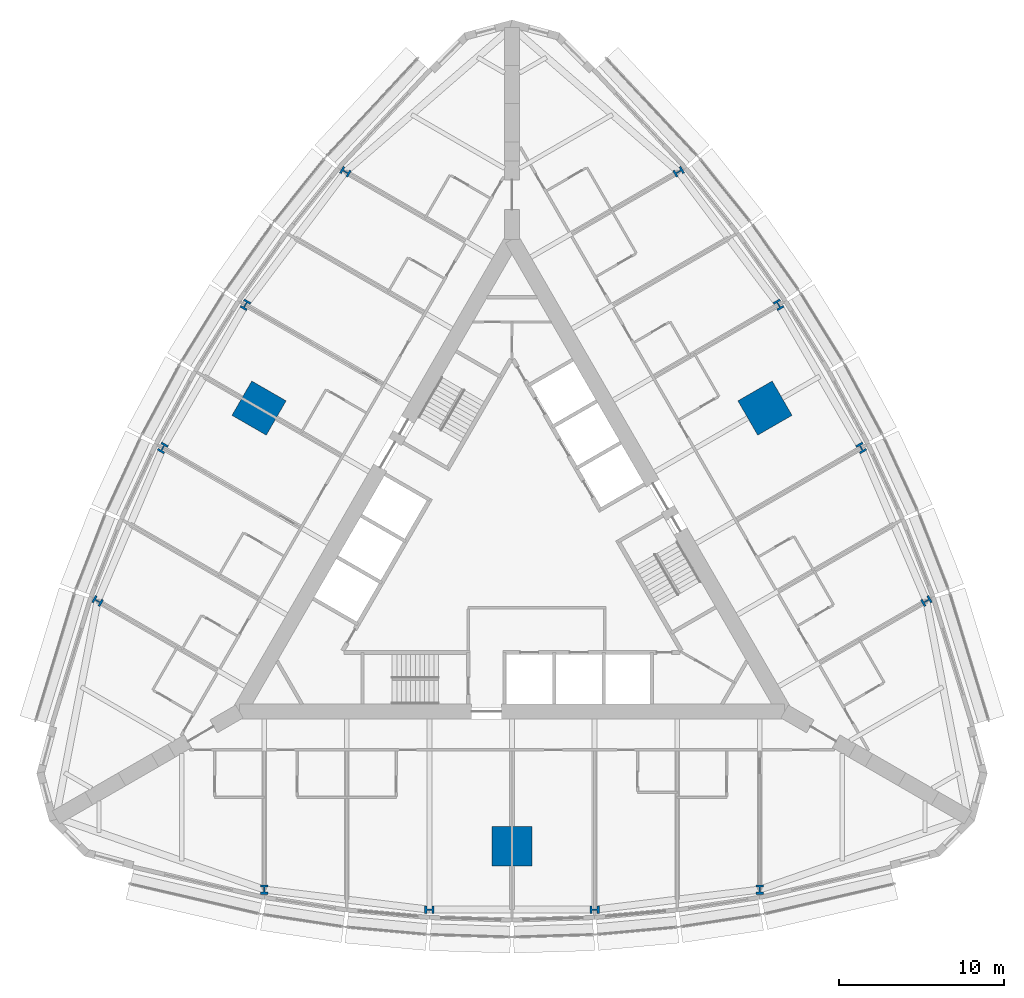
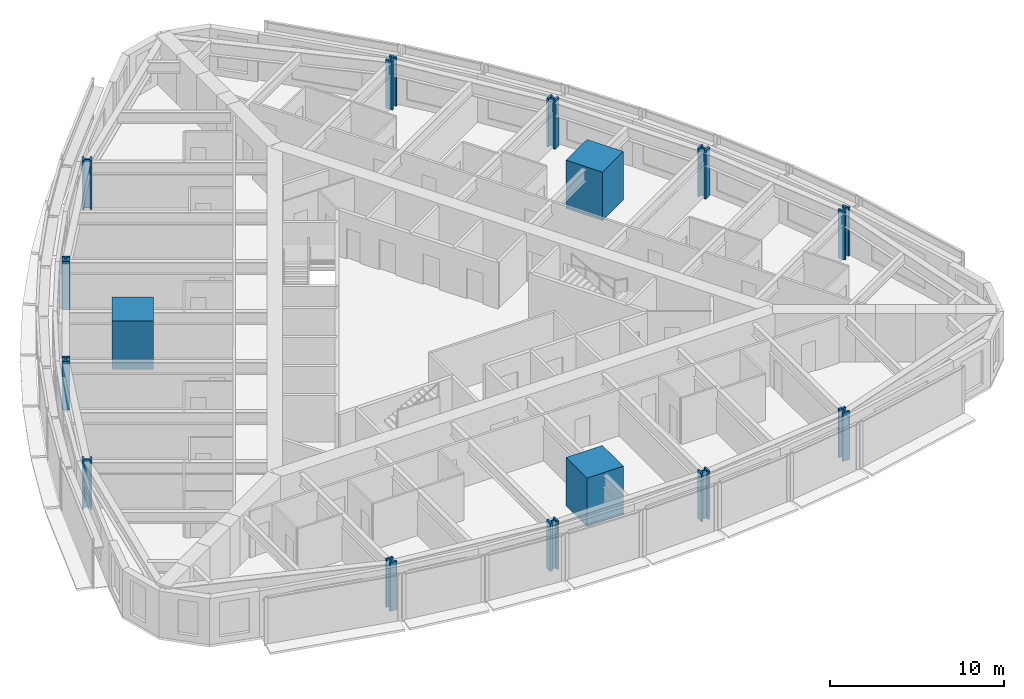
# One storey, part 1 of 14: 15 columns.
"""IFC4 building model written with IfcOpenShell, lengths in metres."""

from ifc_helpers import new_model, si_unit, direction, frame, origin, origin_2d, place, context, subcontext, project, spatial, rectangle, i_section, extrude, material, material_profile, profile_set, type_object, element, save


model = new_model("IFC4")

# Units and contexts
model_context = context("Model", 3, precision=1e-05, world=origin(), true_north=direction((0.0, 1.0)))
body_context = subcontext(model_context, "Body", "Model", "MODEL_VIEW")
ifc_project = project(units=[si_unit("LENGTHUNIT", "METRE"), si_unit("AREAUNIT", "SQUARE_METRE"), si_unit("VOLUMEUNIT", "CUBIC_METRE"), si_unit("PLANEANGLEUNIT", "RADIAN"), si_unit("MASSUNIT", "GRAM", prefix="KILO")], contexts=[model_context])

# Site, building, storey
site_placement = place(None, origin())
site = spatial("IfcSite", under=ifc_project, at=site_placement, CompositionType="ELEMENT")
building_placement = place(site_placement, origin())
building = spatial("IfcBuilding", under=site, at=building_placement, Name="Trikona Tower", CompositionType="ELEMENT")
storey_placement = place(building_placement, frame((0.0, 0.0, 42.10009765625)))
storey = spatial("IfcBuildingStorey", under=building, at=storey_placement, Name="L09", CompositionType="ELEMENT", Elevation=42.10009765625)

# Columns
ifc_material_1 = material(Name="Concrete f'c 10000 psi with encased steel section", Category="concrete")
ifc_material_profile_1 = material_profile(ifc_material_1, rectangle(XDim=2.39990234375, YDim=2.39990234375, at=origin_2d()), Name="MC2400")
ifc_profile_set_1 = profile_set([ifc_material_profile_1], Name="Concrete f'c 10000 psi with encased steel section")
column_type_1 = type_object("IfcColumnType", Name="Composite mega column 2400x2400", PredefinedType="COLUMN", material=ifc_profile_set_1)
for number, where, z_axis, x_axis, name in (
    (1, (0.0, -17.680419921875, 0.0), (0.0, 0.0, 1.0), (0.0, -1.0, 0.0), "Mega column MC1"),
    (2, (15.311767578125, 8.84033203125, 0.0), (0.0, 0.0, 1.0), (0.866025403784, 0.5, 0.0), "Mega column MC2"),
    (3, (-15.311767578125, 8.84033203125, 0.0), (0.0, 0.0, 1.0), (-0.866025403784, 0.5, 0.0), "Mega column MC3"),
):
    element("IfcColumn", number, at=place(storey_placement, frame(where, z_axis=z_axis, x_axis=x_axis)), inside=storey, type_object=column_type_1, Name=name, PredefinedType="COLUMN", context=body_context, shape_type="SweptSolid", body=[
        extrude(rectangle(XDim=2.39990234375, YDim=2.39990234375, at=origin_2d()), origin(), (0.0, 0.0, 1.0), 3.39990234375),
    ])
ifc_material_2 = material(Name="Steel ASTM A992 Grade 50", Category="steel")
ifc_material_profile_2 = material_profile(ifc_material_2, i_section(OverallWidth=0.45458984375, OverallDepth=0.56884765625, WebThickness=0.077880859375, FlangeThickness=0.124755859375, at=origin_2d()), Name="W14X730")
ifc_profile_set_2 = profile_set([ifc_material_profile_2], Name="Steel ASTM A992 Grade 50")
column_type_2 = type_object("IfcColumnType", Name="Steel column W14x730", PredefinedType="COLUMN", material=ifc_profile_set_2)
for number, where, z_axis, x_axis, name in (
    (4, (-15.0, -20.302978515625, 0.0), (0.0, 0.0, 1.0), (1.0, 0.0, 0.0), "Column F0m15"),
    (5, (-5.0, -21.5205078125, 0.0), (0.0, 0.0, 1.0), (0.0, -1.0, 0.0), "Column F0m5"),
    (6, (5.0, -21.5205078125, 0.0), (0.0, 0.0, 1.0), (0.0, -1.0, 0.0), "Column F0p5"),
    (7, (15.0, -20.302978515625, 0.0), (0.0, 0.0, 1.0), (1.0, 0.0, 0.0), "Column F0p15"),
    (8, (25.0830078125, -2.8388671875, 0.0), (0.0, 0.0, 1.0), (-0.5, 0.866025403784, 0.0), "Column F1m15"),
    (9, (21.13720703125, 6.43017578125, 0.0), (0.0, 0.0, 1.0), (0.866025403784, 0.5, 0.0), "Column F1m5"),
    (10, (16.13720703125, 15.09033203125, 0.0), (0.0, 0.0, 1.0), (0.866025403784, 0.5, 0.0), "Column F1p5"),
    (11, (10.0830078125, 23.141845703125, 0.0), (0.0, 0.0, 1.0), (-0.5, 0.866025403784, 0.0), "Column F1p15"),
    (12, (-10.0830078125, 23.141845703125, 0.0), (0.0, 0.0, 1.0), (-0.5, -0.866025403784, 0.0), "Column F2m15"),
    (13, (-16.13720703125, 15.09033203125, 0.0), (0.0, 0.0, 1.0), (-0.866025403784, 0.5, 0.0), "Column F2m5"),
    (14, (-21.13720703125, 6.43017578125, 0.0), (0.0, 0.0, 1.0), (-0.866025403784, 0.5, 0.0), "Column F2p5"),
    (15, (-25.0830078125, -2.8388671875, 0.0), (0.0, 0.0, 1.0), (-0.5, -0.866025403784, 0.0), "Column F2p15"),
):
    element("IfcColumn", number, at=place(storey_placement, frame(where, z_axis=z_axis, x_axis=x_axis)), inside=storey, type_object=column_type_2, Name=name, PredefinedType="COLUMN", context=body_context, shape_type="SweptSolid", body=[
        extrude(i_section(OverallWidth=0.45458984375, OverallDepth=0.56884765625, WebThickness=0.077880859375, FlangeThickness=0.124755859375, at=origin_2d()), origin(), (0.0, 0.0, 1.0), 3.39990234375),
    ])

save(model, "model.ifc")
